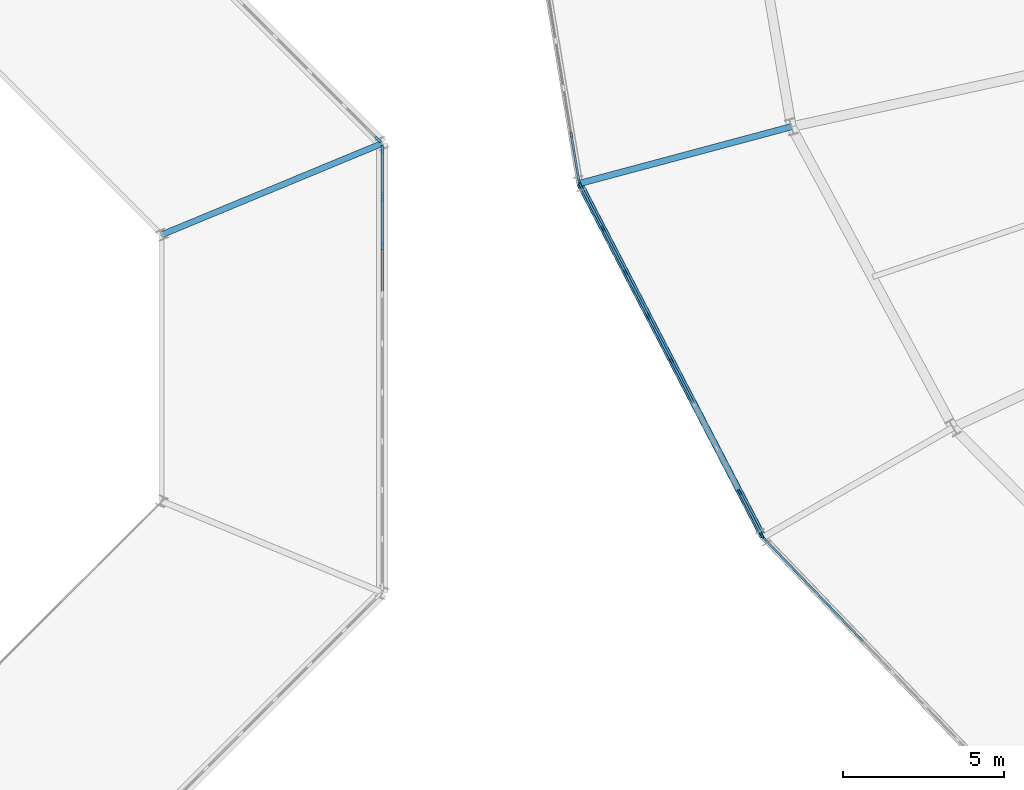
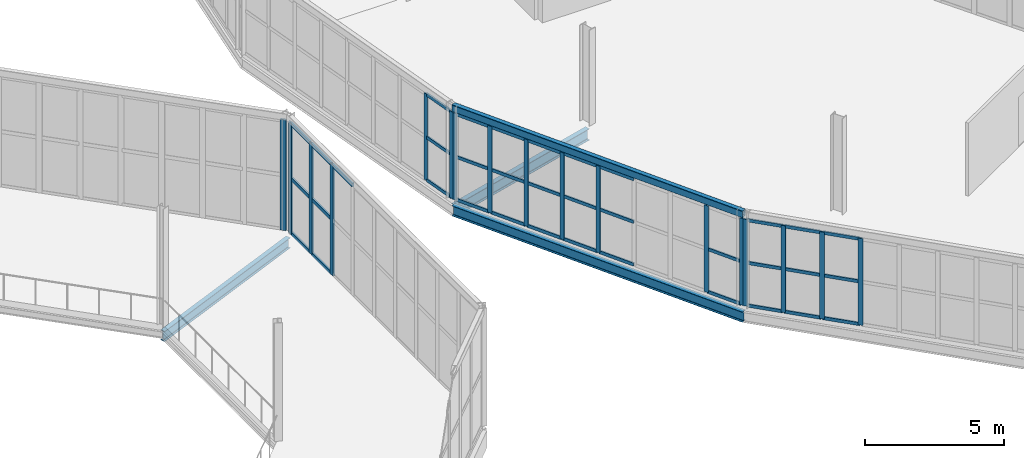
# One storey, part 51 of 161: 53 members, 4 beams, 5 elements without a shape of their own.
"""IFC4 building model written with IfcOpenShell, lengths in metres."""

from ifc_helpers import new_model, si_unit, direction, frame, origin, origin_2d, place, context, subcontext, project, spatial, rectangle, hollow_rectangle, i_section, extrude, material, material_profile, profile_set, type_object, element, aggregate, save


model = new_model("IFC4")

# Units and contexts
model_context = context("Model", 3, precision=1e-05, world=origin(), true_north=direction((0.0, 1.0)))
body_context = subcontext(model_context, "Body", "Model", "MODEL_VIEW")
ifc_project = project(units=[si_unit("LENGTHUNIT", "METRE"), si_unit("AREAUNIT", "SQUARE_METRE"), si_unit("VOLUMEUNIT", "CUBIC_METRE"), si_unit("PLANEANGLEUNIT", "RADIAN"), si_unit("MASSUNIT", "GRAM", prefix="KILO")], contexts=[model_context])

# Site, building, storey
site_placement = place(None, origin())
site = spatial("IfcSite", under=ifc_project, at=site_placement, CompositionType="ELEMENT")
building_placement = place(site_placement, origin())
building = spatial("IfcBuilding", under=site, at=building_placement, Name="Kildeholm Park Wholesale Market", CompositionType="ELEMENT")
storey_placement = place(building_placement, frame((0.0, 0.0, 5.39990234375)))
storey = spatial("IfcBuildingStorey", under=building, at=storey_placement, Name="L01", CompositionType="ELEMENT", Elevation=5.39990234375)

# Beams
ifc_material_1 = material(Name="Steel S355", Category="steel")
ifc_material_profile_1 = material_profile(ifc_material_1, i_section(OverallWidth=0.18994140625, OverallDepth=0.449951171875, WebThickness=0.009521484375, FlangeThickness=0.0146484375, FilletRadius=0.02099609375, at=origin_2d()), Name="IPE 450")
ifc_profile_set_1 = profile_set([ifc_material_profile_1], Name="Steel S355")
beam_type_1 = type_object("IfcBeamType", Name="Beam B-P02 IPE 450", PredefinedType="BEAM", material=ifc_profile_set_1)
beam_1_placement = place(storey_placement, frame((43.94189453125, 77.72412109375, -0.474853515625), z_axis=(0.460622041592, -0.887596380569, 0.0), x_axis=(0.887596380569, 0.460622041592, 0.0)))
element("IfcBeam", 1, at=beam_1_placement, inside=storey, type_object=beam_type_1, Name="Beam BM-V1-L01-CO-13 BM-0122", PredefinedType="BEAM", context=body_context, shape_type="SweptSolid", body=[
    extrude(i_section(OverallWidth=0.18994140625, OverallDepth=0.449951171875, WebThickness=0.009521484375, FlangeThickness=0.0146484375, FilletRadius=0.02099609375, at=origin_2d()), origin(), (0.0, 0.0, 1.0), 12.36376953125),
])
beam_2_placement = place(storey_placement, frame((30.97802734375, 76.133056640625, -0.494873046875), z_axis=(0.923875293758, 0.382693665462, 0.0), x_axis=(-0.382693665462, 0.923875293758, 0.0)))
element("IfcBeam", 2, at=beam_2_placement, inside=storey, type_object=beam_type_1, Name="Beam BM-V3-L01-R-00 BM-0477", PredefinedType="BEAM", context=body_context, shape_type="SweptSolid", body=[
    extrude(i_section(OverallWidth=0.18994140625, OverallDepth=0.449951171875, WebThickness=0.009521484375, FlangeThickness=0.0146484375, FilletRadius=0.02099609375, at=origin_2d()), origin(), (0.0, 0.0, 1.0), 7.400146484375),
])
ifc_material_profile_2 = material_profile(ifc_material_1, i_section(OverallWidth=0.199951171875, OverallDepth=0.5, WebThickness=0.01025390625, FlangeThickness=0.01611328125, FilletRadius=0.02099609375, at=origin_2d()), Name="IPE 500")
ifc_profile_set_2 = profile_set([ifc_material_profile_2], Name="Steel S355")
beam_type_2 = type_object("IfcBeamType", Name="Beam B-P03 IPE 500", PredefinedType="BEAM", material=ifc_profile_set_2)
beam_3_placement = place(storey_placement, frame((50.510986328125, 79.48388671875, -0.5), z_axis=(-0.965941161837, -0.258761805275, 0.0), x_axis=(0.258761805275, -0.965941161837, 0.0)))
element("IfcBeam", 3, at=beam_3_placement, inside=storey, type_object=beam_type_2, Name="Beam BM-V1-L01-R2-13 BM-0119", PredefinedType="BEAM", context=body_context, shape_type="SweptSolid", body=[
    extrude(i_section(OverallWidth=0.199951171875, OverallDepth=0.5, WebThickness=0.01025390625, FlangeThickness=0.01611328125, FilletRadius=0.02099609375, at=origin_2d()), origin(), (0.0, 0.0, 1.0), 6.80078125),
])
ifc_material_profile_3 = material_profile(ifc_material_1, hollow_rectangle(XDim=0.199951171875, YDim=0.300048828125, WallThickness=0.012451171875, InnerFilletRadius=0.012451171875, OuterFilletRadius=0.02490234375, at=origin_2d()), Name="RHS 300x200x12.5")
ifc_profile_set_3 = profile_set([ifc_material_profile_3], Name="Steel S355")
beam_type_3 = type_object("IfcBeamType", Name="Beam SP-01 RHS 300x200x12.5", PredefinedType="SPANDREL", material=ifc_profile_set_3)
beam_4_placement = place(storey_placement, frame((43.94189453125, 77.72412109375, 4.02099609375), z_axis=(0.460622041592, -0.887596380569, 0.0), x_axis=(0.887596380569, 0.460622041592, 0.0)))
element("IfcBeam", 4, at=beam_4_placement, inside=storey, type_object=beam_type_3, Name="Beam SP-V1-EAV-13 BM-0298", PredefinedType="SPANDREL", context=body_context, shape_type="SweptSolid", body=[
    extrude(hollow_rectangle(XDim=0.199951171875, YDim=0.300048828125, WallThickness=0.012451171875, InnerFilletRadius=0.012451171875, OuterFilletRadius=0.02490234375, at=origin_2d()), origin(), (0.0, 0.0, 1.0), 12.36376953125),
])

# Curtain wall, members
ifc_material_2 = material(Name="Anodised aluminium and low-E double-glazed glass", Category="aluminium")
curtain_wall_type_1 = type_object("IfcCurtainWallType", Name="Market hall glazed arcade stick curtain wall CW-01", PredefinedType="NOTDEFINED", material=ifc_material_2)
curtain_wall_1_placement = place(storey_placement, origin())
curtain_wall_1 = element("IfcCurtainWall", 5, at=curtain_wall_1_placement, inside=storey, type_object=curtain_wall_type_1, Name="Curtain wall CW-V1-OT-12-1 CW-0059", PredefinedType="NOTDEFINED")
ifc_material_3 = material(Name="Anodised aluminium", Category="aluminium")
ifc_material_profile_4 = material_profile(ifc_material_3, rectangle(XDim=0.06494140625, YDim=0.179931640625, at=origin_2d()), Name="CWM 65x180")
ifc_profile_set_4 = profile_set([ifc_material_profile_4], Name="Anodised aluminium")
member_type_1 = type_object("IfcMemberType", Name="Curtain-wall mullion CWM-1 CWM 65x180", PredefinedType="MULLION", material=ifc_profile_set_4)
member_1_placement = place(storey_placement, frame((43.68798828125, 79.224365234375, 0.0), z_axis=(0.0, 0.0, 1.0), x_axis=(0.98667513756, 0.162702713317, 0.0)))
member_1 = element("IfcMember", 6, at=member_1_placement, type_object=member_type_1, Name="CW-01 mullion 8 MEM-2003", PredefinedType="MULLION", context=body_context, shape_type="SweptSolid", body=[
    extrude(rectangle(XDim=0.06494140625, YDim=0.179931640625, at=origin_2d()), origin(), (0.0, 0.0, 1.0), 3.800048828125),
])
member_2_placement = place(storey_placement, frame((43.923828125, 77.7939453125, 0.0), z_axis=(0.0, 0.0, 1.0), x_axis=(0.98667513756, 0.162702713317, 0.0)))
member_2 = element("IfcMember", 7, at=member_2_placement, type_object=member_type_1, Name="CW-01 mullion 9 MEM-2004", PredefinedType="MULLION", context=body_context, shape_type="SweptSolid", body=[
    extrude(rectangle(XDim=0.06494140625, YDim=0.179931640625, at=origin_2d()), origin(), (0.0, 0.0, 1.0), 3.800048828125),
])

curtain_wall_2_placement = place(storey_placement, origin())
curtain_wall_2 = element("IfcCurtainWall", 8, at=curtain_wall_2_placement, inside=storey, type_object=curtain_wall_type_1, Name="Curtain wall CW-V1-OT-13-1 CW-0064", PredefinedType="NOTDEFINED")
member_3_placement = place(storey_placement, frame((43.969970703125, 77.658203125, 0.0), z_axis=(0.0, 0.0, 1.0), x_axis=(0.88765224586, 0.460514375909, 0.0)))
member_3 = element("IfcMember", 9, at=member_3_placement, type_object=member_type_1, Name="CW-01 mullion 1 MEM-2121", PredefinedType="MULLION", context=body_context, shape_type="SweptSolid", body=[
    extrude(rectangle(XDim=0.06494140625, YDim=0.179931640625, at=origin_2d()), origin(), (0.0, 0.0, 1.0), 3.800048828125),
])
member_4_placement = place(storey_placement, frame((44.662109375, 76.323974609375, 0.0), z_axis=(0.0, 0.0, 1.0), x_axis=(0.88765224586, 0.460514375909, 0.0)))
member_4 = element("IfcMember", 10, at=member_4_placement, type_object=member_type_1, Name="CW-01 mullion 2 MEM-2122", PredefinedType="MULLION", context=body_context, shape_type="SweptSolid", body=[
    extrude(rectangle(XDim=0.06494140625, YDim=0.179931640625, at=origin_2d()), origin(), (0.0, 0.0, 1.0), 3.800048828125),
])
member_5_placement = place(storey_placement, frame((45.369140625, 74.9609375, 0.0), z_axis=(0.0, 0.0, 1.0), x_axis=(0.88765224586, 0.460514375909, 0.0)))
member_5 = element("IfcMember", 11, at=member_5_placement, type_object=member_type_1, Name="CW-01 mullion 3 MEM-2123", PredefinedType="MULLION", context=body_context, shape_type="SweptSolid", body=[
    extrude(rectangle(XDim=0.06494140625, YDim=0.179931640625, at=origin_2d()), origin(), (0.0, 0.0, 1.0), 3.800048828125),
])
member_6_placement = place(storey_placement, frame((46.076416015625, 73.597900390625, 0.0), z_axis=(0.0, 0.0, 1.0), x_axis=(0.88765224586, 0.460514375909, 0.0)))
member_6 = element("IfcMember", 12, at=member_6_placement, type_object=member_type_1, Name="CW-01 mullion 4 MEM-2124", PredefinedType="MULLION", context=body_context, shape_type="SweptSolid", body=[
    extrude(rectangle(XDim=0.06494140625, YDim=0.179931640625, at=origin_2d()), origin(), (0.0, 0.0, 1.0), 3.800048828125),
])
member_7_placement = place(storey_placement, frame((46.783447265625, 72.235107421875, 0.0), z_axis=(0.0, 0.0, 1.0), x_axis=(0.88765224586, 0.460514375909, 0.0)))
member_7 = element("IfcMember", 13, at=member_7_placement, type_object=member_type_1, Name="CW-01 mullion 5 MEM-2125", PredefinedType="MULLION", context=body_context, shape_type="SweptSolid", body=[
    extrude(rectangle(XDim=0.06494140625, YDim=0.179931640625, at=origin_2d()), origin(), (0.0, 0.0, 1.0), 3.800048828125),
])
member_8_placement = place(storey_placement, frame((48.90478515625, 68.14599609375, 0.0), z_axis=(0.0, 0.0, 1.0), x_axis=(0.88765224586, 0.460514375909, 0.0)))
member_8 = element("IfcMember", 14, at=member_8_placement, type_object=member_type_1, Name="CW-01 mullion 8 MEM-2128", PredefinedType="MULLION", context=body_context, shape_type="SweptSolid", body=[
    extrude(rectangle(XDim=0.06494140625, YDim=0.179931640625, at=origin_2d()), origin(), (0.0, 0.0, 1.0), 3.800048828125),
])
member_9_placement = place(storey_placement, frame((49.596923828125, 66.811767578125, 0.0), z_axis=(0.0, 0.0, 1.0), x_axis=(0.88765224586, 0.460514375909, 0.0)))
member_9 = element("IfcMember", 15, at=member_9_placement, type_object=member_type_1, Name="CW-01 mullion 9 MEM-2129", PredefinedType="MULLION", context=body_context, shape_type="SweptSolid", body=[
    extrude(rectangle(XDim=0.06494140625, YDim=0.179931640625, at=origin_2d()), origin(), (0.0, 0.0, 1.0), 3.800048828125),
])

curtain_wall_3_placement = place(storey_placement, origin())
curtain_wall_3 = element("IfcCurtainWall", 16, at=curtain_wall_3_placement, inside=storey, type_object=curtain_wall_type_1, Name="Curtain wall CW-V1-OT-14-1 CW-0069", PredefinedType="NOTDEFINED")
member_10_placement = place(storey_placement, frame((49.681640625, 66.694580078125, 0.0), z_axis=(0.0, 0.0, 1.0), x_axis=(0.720901097951, 0.69303795493, 0.0)))
member_10 = element("IfcMember", 17, at=member_10_placement, type_object=member_type_1, Name="CW-01 mullion 1 MEM-2246", PredefinedType="MULLION", context=body_context, shape_type="SweptSolid", body=[
    extrude(rectangle(XDim=0.06494140625, YDim=0.179931640625, at=origin_2d()), origin(), (0.0, 0.0, 1.0), 3.800048828125),
])
member_11_placement = place(storey_placement, frame((50.659423828125, 65.67724609375, 0.0), z_axis=(0.0, 0.0, 1.0), x_axis=(0.720901097951, 0.69303795493, 0.0)))
member_11 = element("IfcMember", 18, at=member_11_placement, type_object=member_type_1, Name="CW-01 mullion 2 MEM-2247", PredefinedType="MULLION", context=body_context, shape_type="SweptSolid", body=[
    extrude(rectangle(XDim=0.06494140625, YDim=0.179931640625, at=origin_2d()), origin(), (0.0, 0.0, 1.0), 3.800048828125),
])
member_12_placement = place(storey_placement, frame((51.659912109375, 64.63671875, 0.0), z_axis=(0.0, 0.0, 1.0), x_axis=(0.720901097951, 0.69303795493, 0.0)))
member_12 = element("IfcMember", 19, at=member_12_placement, type_object=member_type_1, Name="CW-01 mullion 3 MEM-2248", PredefinedType="MULLION", context=body_context, shape_type="SweptSolid", body=[
    extrude(rectangle(XDim=0.06494140625, YDim=0.179931640625, at=origin_2d()), origin(), (0.0, 0.0, 1.0), 3.800048828125),
])
member_13_placement = place(storey_placement, frame((52.660400390625, 63.595947265625, 0.0), z_axis=(0.0, 0.0, 1.0), x_axis=(0.720901097951, 0.69303795493, 0.0)))
member_13 = element("IfcMember", 20, at=member_13_placement, type_object=member_type_1, Name="CW-01 mullion 4 MEM-2249", PredefinedType="MULLION", context=body_context, shape_type="SweptSolid", body=[
    extrude(rectangle(XDim=0.06494140625, YDim=0.179931640625, at=origin_2d()), origin(), (0.0, 0.0, 1.0), 3.800048828125),
])

# Curtain wall, member
curtain_wall_type_2 = type_object("IfcCurtainWallType", Name="Clerestory daylight stick curtain wall CW-02", PredefinedType="NOTDEFINED", material=ifc_material_2)
curtain_wall_4_placement = place(storey_placement, origin())
curtain_wall_4 = element("IfcCurtainWall", 21, at=curtain_wall_4_placement, inside=storey, type_object=curtain_wall_type_2, Name="Curtain wall CW-V3-L01-00 CW-0135", PredefinedType="NOTDEFINED")
ifc_material_profile_5 = material_profile(ifc_material_3, rectangle(XDim=0.074951171875, YDim=0.219970703125, at=origin_2d()), Name="CWM 75x220")
ifc_profile_set_5 = profile_set([ifc_material_profile_5], Name="Anodised aluminium")
member_type_2 = type_object("IfcMemberType", Name="Curtain-wall mullion CWM-2 CWM 75x220", PredefinedType="MULLION", material=ifc_profile_set_5)
member_14_placement = place(storey_placement, frame((37.689453125, 79.090576171875, 0.0), z_axis=(0.0, 0.0, 1.0), x_axis=(-0.707106781187, -0.707106781187, 0.0)))
member_14 = element("IfcMember", 22, at=member_14_placement, type_object=member_type_2, Name="CW-02 mullion 1 MEM-4144", PredefinedType="MULLION", context=body_context, shape_type="SweptSolid", body=[
    extrude(rectangle(XDim=0.074951171875, YDim=0.219970703125, at=origin_2d()), origin(), (0.0, 0.0, 1.0), 4.85009765625),
])
aggregate(curtain_wall_4, [member_14])

# Curtain wall, members
curtain_wall_5_placement = place(storey_placement, origin())
curtain_wall_5 = element("IfcCurtainWall", 23, at=curtain_wall_5_placement, inside=storey, type_object=curtain_wall_type_2, Name="Curtain wall CW-V3-L01-07 CW-0142", PredefinedType="NOTDEFINED")
member_15_placement = place(storey_placement, frame((37.81494140625, 75.791748046875, 0.0), z_axis=(0.0, 0.0, 1.0), x_axis=(-1.0, 0.0, 0.0)))
member_15 = element("IfcMember", 24, at=member_15_placement, type_object=member_type_2, Name="CW-02 mullion 8 MEM-4410", PredefinedType="MULLION", context=body_context, shape_type="SweptSolid", body=[
    extrude(rectangle(XDim=0.074951171875, YDim=0.219970703125, at=origin_2d()), origin(), (0.0, 0.0, 1.0), 4.85009765625),
])
member_16_placement = place(storey_placement, frame((37.81494140625, 77.308349609375, 0.0), z_axis=(0.0, 0.0, 1.0), x_axis=(-1.0, 0.0, 0.0)))
member_16 = element("IfcMember", 25, at=member_16_placement, type_object=member_type_2, Name="CW-02 mullion 9 MEM-4411", PredefinedType="MULLION", context=body_context, shape_type="SweptSolid", body=[
    extrude(rectangle(XDim=0.074951171875, YDim=0.219970703125, at=origin_2d()), origin(), (0.0, 0.0, 1.0), 4.85009765625),
])
member_17_placement = place(storey_placement, frame((37.81494140625, 78.78759765625, 0.0), z_axis=(0.0, 0.0, 1.0), x_axis=(-1.0, 0.0, 0.0)))
member_17 = element("IfcMember", 26, at=member_17_placement, type_object=member_type_2, Name="CW-02 mullion 10 MEM-4412", PredefinedType="MULLION", context=body_context, shape_type="SweptSolid", body=[
    extrude(rectangle(XDim=0.074951171875, YDim=0.219970703125, at=origin_2d()), origin(), (0.0, 0.0, 1.0), 4.85009765625),
])

# Member
ifc_material_profile_6 = material_profile(ifc_material_3, rectangle(XDim=0.06494140625, YDim=0.139892578125, at=origin_2d()), Name="CWT 65x140")
ifc_profile_set_6 = profile_set([ifc_material_profile_6], Name="Anodised aluminium")
member_type_3 = type_object("IfcMemberType", Name="Curtain-wall transom CWT-1 CWT 65x140", PredefinedType="USERDEFINED", material=ifc_profile_set_6)
member_18_placement = place(storey_placement, frame((43.693115234375, 79.192138671875, 0.03271484375), z_axis=(0.162768740023, -0.986664247488, 0.0), x_axis=(0.986664247488, 0.162768740023, 0.0)))
member_18 = element("IfcMember", 27, at=member_18_placement, type_object=member_type_3, Name="CW-01 transom 8.1 MEM-2026", ObjectType="TRANSOM", PredefinedType="USERDEFINED", context=body_context, shape_type="SweptSolid", body=[
    extrude(rectangle(XDim=0.06494140625, YDim=0.139892578125, at=origin_2d()), origin(), (0.0, 0.0, 1.0), 1.384521484375),
])

member_19_placement = place(storey_placement, frame((43.693115234375, 79.192138671875, 1.900146484375), z_axis=(0.162768740023, -0.986664247488, 0.0), x_axis=(0.986664247488, 0.162768740023, 0.0)))
member_19 = element("IfcMember", 28, at=member_19_placement, type_object=member_type_3, Name="CW-01 transom 8.2 MEM-2027", ObjectType="TRANSOM", PredefinedType="USERDEFINED", context=body_context, shape_type="SweptSolid", body=[
    extrude(rectangle(XDim=0.06494140625, YDim=0.139892578125, at=origin_2d()), origin(), (0.0, 0.0, 1.0), 1.384521484375),
])

member_20_placement = place(storey_placement, frame((43.693115234375, 79.192138671875, 3.767578125), z_axis=(0.162768740023, -0.986664247488, 0.0), x_axis=(0.986664247488, 0.162768740023, 0.0)))
member_20 = element("IfcMember", 29, at=member_20_placement, type_object=member_type_3, Name="CW-01 transom 8.3 MEM-2028", ObjectType="TRANSOM", PredefinedType="USERDEFINED", context=body_context, shape_type="SweptSolid", body=[
    extrude(rectangle(XDim=0.06494140625, YDim=0.139892578125, at=origin_2d()), origin(), (0.0, 0.0, 1.0), 1.384521484375),
])

aggregate(curtain_wall_1, [member_1, member_2, member_18, member_19, member_20])

member_21_placement = place(storey_placement, frame((43.98486328125, 77.62939453125, 0.03271484375), z_axis=(0.460540122908, -0.887638887832, 0.0), x_axis=(0.887638887832, 0.460540122908, 0.0)))
member_21 = element("IfcMember", 30, at=member_21_placement, type_object=member_type_3, Name="CW-01 transom 1.1 MEM-2130", ObjectType="TRANSOM", PredefinedType="USERDEFINED", context=body_context, shape_type="SweptSolid", body=[
    extrude(rectangle(XDim=0.06494140625, YDim=0.139892578125, at=origin_2d()), origin(), (0.0, 0.0, 1.0), 1.438232421875),
])

member_22_placement = place(storey_placement, frame((43.98486328125, 77.62939453125, 1.900146484375), z_axis=(0.460540122908, -0.887638887832, 0.0), x_axis=(0.887638887832, 0.460540122908, 0.0)))
member_22 = element("IfcMember", 31, at=member_22_placement, type_object=member_type_3, Name="CW-01 transom 1.2 MEM-2131", ObjectType="TRANSOM", PredefinedType="USERDEFINED", context=body_context, shape_type="SweptSolid", body=[
    extrude(rectangle(XDim=0.06494140625, YDim=0.139892578125, at=origin_2d()), origin(), (0.0, 0.0, 1.0), 1.438232421875),
])

member_23_placement = place(storey_placement, frame((43.98486328125, 77.62939453125, 3.767578125), z_axis=(0.460540122908, -0.887638887832, 0.0), x_axis=(0.887638887832, 0.460540122908, 0.0)))
member_23 = element("IfcMember", 32, at=member_23_placement, type_object=member_type_3, Name="CW-01 transom 1.3 MEM-2132", ObjectType="TRANSOM", PredefinedType="USERDEFINED", context=body_context, shape_type="SweptSolid", body=[
    extrude(rectangle(XDim=0.06494140625, YDim=0.139892578125, at=origin_2d()), origin(), (0.0, 0.0, 1.0), 1.438232421875),
])

member_24_placement = place(storey_placement, frame((44.677001953125, 76.295166015625, 0.03271484375), z_axis=(0.460510981056, -0.887654007104, 0.0), x_axis=(0.887654007104, 0.460510981056, 0.0)))
member_24 = element("IfcMember", 33, at=member_24_placement, type_object=member_type_3, Name="CW-01 transom 2.1 MEM-2133", ObjectType="TRANSOM", PredefinedType="USERDEFINED", context=body_context, shape_type="SweptSolid", body=[
    extrude(rectangle(XDim=0.06494140625, YDim=0.139892578125, at=origin_2d()), origin(), (0.0, 0.0, 1.0), 1.470703125),
])

member_25_placement = place(storey_placement, frame((44.677001953125, 76.295166015625, 1.900146484375), z_axis=(0.460510981056, -0.887654007104, 0.0), x_axis=(0.887654007104, 0.460510981056, 0.0)))
member_25 = element("IfcMember", 34, at=member_25_placement, type_object=member_type_3, Name="CW-01 transom 2.2 MEM-2134", ObjectType="TRANSOM", PredefinedType="USERDEFINED", context=body_context, shape_type="SweptSolid", body=[
    extrude(rectangle(XDim=0.06494140625, YDim=0.139892578125, at=origin_2d()), origin(), (0.0, 0.0, 1.0), 1.470703125),
])

member_26_placement = place(storey_placement, frame((44.677001953125, 76.295166015625, 3.767578125), z_axis=(0.460510981056, -0.887654007104, 0.0), x_axis=(0.887654007104, 0.460510981056, 0.0)))
member_26 = element("IfcMember", 35, at=member_26_placement, type_object=member_type_3, Name="CW-01 transom 2.3 MEM-2135", ObjectType="TRANSOM", PredefinedType="USERDEFINED", context=body_context, shape_type="SweptSolid", body=[
    extrude(rectangle(XDim=0.06494140625, YDim=0.139892578125, at=origin_2d()), origin(), (0.0, 0.0, 1.0), 1.470703125),
])

member_27_placement = place(storey_placement, frame((45.38427734375, 74.93212890625, 0.03271484375), z_axis=(0.46057885024, -0.887618793577, 0.0), x_axis=(0.887618793577, 0.46057885024, 0.0)))
member_27 = element("IfcMember", 36, at=member_27_placement, type_object=member_type_3, Name="CW-01 transom 3.1 MEM-2136", ObjectType="TRANSOM", PredefinedType="USERDEFINED", context=body_context, shape_type="SweptSolid", body=[
    extrude(rectangle(XDim=0.06494140625, YDim=0.139892578125, at=origin_2d()), origin(), (0.0, 0.0, 1.0), 1.470458984375),
])

member_28_placement = place(storey_placement, frame((45.38427734375, 74.93212890625, 1.900146484375), z_axis=(0.46057885024, -0.887618793577, 0.0), x_axis=(0.887618793577, 0.46057885024, 0.0)))
member_28 = element("IfcMember", 37, at=member_28_placement, type_object=member_type_3, Name="CW-01 transom 3.2 MEM-2137", ObjectType="TRANSOM", PredefinedType="USERDEFINED", context=body_context, shape_type="SweptSolid", body=[
    extrude(rectangle(XDim=0.06494140625, YDim=0.139892578125, at=origin_2d()), origin(), (0.0, 0.0, 1.0), 1.470458984375),
])

member_29_placement = place(storey_placement, frame((45.38427734375, 74.93212890625, 3.767578125), z_axis=(0.46057885024, -0.887618793577, 0.0), x_axis=(0.887618793577, 0.46057885024, 0.0)))
member_29 = element("IfcMember", 38, at=member_29_placement, type_object=member_type_3, Name="CW-01 transom 3.3 MEM-2138", ObjectType="TRANSOM", PredefinedType="USERDEFINED", context=body_context, shape_type="SweptSolid", body=[
    extrude(rectangle(XDim=0.06494140625, YDim=0.139892578125, at=origin_2d()), origin(), (0.0, 0.0, 1.0), 1.470458984375),
])

member_30_placement = place(storey_placement, frame((46.09130859375, 73.569091796875, 0.03271484375), z_axis=(0.46057885024, -0.887618793577, 0.0), x_axis=(0.887618793577, 0.46057885024, 0.0)))
member_30 = element("IfcMember", 39, at=member_30_placement, type_object=member_type_3, Name="CW-01 transom 4.1 MEM-2139", ObjectType="TRANSOM", PredefinedType="USERDEFINED", context=body_context, shape_type="SweptSolid", body=[
    extrude(rectangle(XDim=0.06494140625, YDim=0.139892578125, at=origin_2d()), origin(), (0.0, 0.0, 1.0), 1.470458984375),
])

member_31_placement = place(storey_placement, frame((46.09130859375, 73.569091796875, 1.900146484375), z_axis=(0.46057885024, -0.887618793577, 0.0), x_axis=(0.887618793577, 0.46057885024, 0.0)))
member_31 = element("IfcMember", 40, at=member_31_placement, type_object=member_type_3, Name="CW-01 transom 4.2 MEM-2140", ObjectType="TRANSOM", PredefinedType="USERDEFINED", context=body_context, shape_type="SweptSolid", body=[
    extrude(rectangle(XDim=0.06494140625, YDim=0.139892578125, at=origin_2d()), origin(), (0.0, 0.0, 1.0), 1.470458984375),
])

member_32_placement = place(storey_placement, frame((46.09130859375, 73.569091796875, 3.767578125), z_axis=(0.46057885024, -0.887618793577, 0.0), x_axis=(0.887618793577, 0.46057885024, 0.0)))
member_32 = element("IfcMember", 41, at=member_32_placement, type_object=member_type_3, Name="CW-01 transom 4.3 MEM-2141", ObjectType="TRANSOM", PredefinedType="USERDEFINED", context=body_context, shape_type="SweptSolid", body=[
    extrude(rectangle(XDim=0.06494140625, YDim=0.139892578125, at=origin_2d()), origin(), (0.0, 0.0, 1.0), 1.470458984375),
])

member_33_placement = place(storey_placement, frame((46.798583984375, 72.2060546875, 0.03271484375), z_axis=(0.460448022353, -0.887686666967, 0.0), x_axis=(0.887686666967, 0.460448022353, 0.0)))
member_33 = element("IfcMember", 42, at=member_33_placement, type_object=member_type_3, Name="CW-01 transom 5.1 MEM-2142", ObjectType="TRANSOM", PredefinedType="USERDEFINED", context=body_context, shape_type="SweptSolid", body=[
    extrude(rectangle(XDim=0.06494140625, YDim=0.139892578125, at=origin_2d()), origin(), (0.0, 0.0, 1.0), 1.47021484375),
])

member_34_placement = place(storey_placement, frame((46.798583984375, 72.2060546875, 1.900146484375), z_axis=(0.460448022353, -0.887686666967, 0.0), x_axis=(0.887686666967, 0.460448022353, 0.0)))
member_34 = element("IfcMember", 43, at=member_34_placement, type_object=member_type_3, Name="CW-01 transom 5.2 MEM-2143", ObjectType="TRANSOM", PredefinedType="USERDEFINED", context=body_context, shape_type="SweptSolid", body=[
    extrude(rectangle(XDim=0.06494140625, YDim=0.139892578125, at=origin_2d()), origin(), (0.0, 0.0, 1.0), 1.47021484375),
])

member_35_placement = place(storey_placement, frame((46.798583984375, 72.2060546875, 3.767578125), z_axis=(0.460448022353, -0.887686666967, 0.0), x_axis=(0.887686666967, 0.460448022353, 0.0)))
member_35 = element("IfcMember", 44, at=member_35_placement, type_object=member_type_3, Name="CW-01 transom 5.3 MEM-2144", ObjectType="TRANSOM", PredefinedType="USERDEFINED", context=body_context, shape_type="SweptSolid", body=[
    extrude(rectangle(XDim=0.06494140625, YDim=0.139892578125, at=origin_2d()), origin(), (0.0, 0.0, 1.0), 1.47021484375),
])

member_36_placement = place(storey_placement, frame((48.919921875, 68.1171875, 0.03271484375), z_axis=(0.460406358293, -0.887708277107, 0.0), x_axis=(0.887708277107, 0.460406358293, 0.0)))
member_36 = element("IfcMember", 45, at=member_36_placement, type_object=member_type_3, Name="CW-01 transom 8.1 MEM-2151", ObjectType="TRANSOM", PredefinedType="USERDEFINED", context=body_context, shape_type="SweptSolid", body=[
    extrude(rectangle(XDim=0.06494140625, YDim=0.139892578125, at=origin_2d()), origin(), (0.0, 0.0, 1.0), 1.43798828125),
])

member_37_placement = place(storey_placement, frame((48.919921875, 68.1171875, 1.900146484375), z_axis=(0.460406358293, -0.887708277107, 0.0), x_axis=(0.887708277107, 0.460406358293, 0.0)))
member_37 = element("IfcMember", 46, at=member_37_placement, type_object=member_type_3, Name="CW-01 transom 8.2 MEM-2152", ObjectType="TRANSOM", PredefinedType="USERDEFINED", context=body_context, shape_type="SweptSolid", body=[
    extrude(rectangle(XDim=0.06494140625, YDim=0.139892578125, at=origin_2d()), origin(), (0.0, 0.0, 1.0), 1.43798828125),
])

aggregate(curtain_wall_2, [member_3, member_4, member_5, member_6, member_7, member_8, member_9, member_21, member_22, member_23, member_24, member_25, member_26, member_27, member_28, member_29, member_30, member_31, member_32, member_33, member_34, member_35, member_36, member_37])

member_38_placement = place(storey_placement, frame((49.7041015625, 66.671142578125, 0.03271484375), z_axis=(0.693003596834, -0.720934126516, 0.0), x_axis=(0.720934126516, 0.693003596834, 0.0)))
member_38 = element("IfcMember", 47, at=member_38_placement, type_object=member_type_3, Name="CW-01 transom 1.1 MEM-2256", ObjectType="TRANSOM", PredefinedType="USERDEFINED", context=body_context, shape_type="SweptSolid", body=[
    extrude(rectangle(XDim=0.06494140625, YDim=0.139892578125, at=origin_2d()), origin(), (0.0, 0.0, 1.0), 1.34619140625),
])

member_39_placement = place(storey_placement, frame((49.7041015625, 66.671142578125, 1.900146484375), z_axis=(0.693003596834, -0.720934126516, 0.0), x_axis=(0.720934126516, 0.693003596834, 0.0)))
member_39 = element("IfcMember", 48, at=member_39_placement, type_object=member_type_3, Name="CW-01 transom 1.2 MEM-2257", ObjectType="TRANSOM", PredefinedType="USERDEFINED", context=body_context, shape_type="SweptSolid", body=[
    extrude(rectangle(XDim=0.06494140625, YDim=0.139892578125, at=origin_2d()), origin(), (0.0, 0.0, 1.0), 1.34619140625),
])

member_40_placement = place(storey_placement, frame((49.7041015625, 66.671142578125, 3.767578125), z_axis=(0.693003596834, -0.720934126516, 0.0), x_axis=(0.720934126516, 0.693003596834, 0.0)))
member_40 = element("IfcMember", 49, at=member_40_placement, type_object=member_type_3, Name="CW-01 transom 1.3 MEM-2258", ObjectType="TRANSOM", PredefinedType="USERDEFINED", context=body_context, shape_type="SweptSolid", body=[
    extrude(rectangle(XDim=0.06494140625, YDim=0.139892578125, at=origin_2d()), origin(), (0.0, 0.0, 1.0), 1.34619140625),
])

member_41_placement = place(storey_placement, frame((50.681884765625, 65.65380859375, 0.03271484375), z_axis=(0.693158263703, -0.720785419844, 0.0), x_axis=(0.720785419844, 0.693158263703, 0.0)))
member_41 = element("IfcMember", 50, at=member_41_placement, type_object=member_type_3, Name="CW-01 transom 2.1 MEM-2259", ObjectType="TRANSOM", PredefinedType="USERDEFINED", context=body_context, shape_type="SweptSolid", body=[
    extrude(rectangle(XDim=0.06494140625, YDim=0.139892578125, at=origin_2d()), origin(), (0.0, 0.0, 1.0), 1.378662109375),
])

member_42_placement = place(storey_placement, frame((50.681884765625, 65.65380859375, 1.900146484375), z_axis=(0.693158263703, -0.720785419844, 0.0), x_axis=(0.720785419844, 0.693158263703, 0.0)))
member_42 = element("IfcMember", 51, at=member_42_placement, type_object=member_type_3, Name="CW-01 transom 2.2 MEM-2260", ObjectType="TRANSOM", PredefinedType="USERDEFINED", context=body_context, shape_type="SweptSolid", body=[
    extrude(rectangle(XDim=0.06494140625, YDim=0.139892578125, at=origin_2d()), origin(), (0.0, 0.0, 1.0), 1.378662109375),
])

member_43_placement = place(storey_placement, frame((50.681884765625, 65.65380859375, 3.767578125), z_axis=(0.693158263703, -0.720785419844, 0.0), x_axis=(0.720785419844, 0.693158263703, 0.0)))
member_43 = element("IfcMember", 52, at=member_43_placement, type_object=member_type_3, Name="CW-01 transom 2.3 MEM-2261", ObjectType="TRANSOM", PredefinedType="USERDEFINED", context=body_context, shape_type="SweptSolid", body=[
    extrude(rectangle(XDim=0.06494140625, YDim=0.139892578125, at=origin_2d()), origin(), (0.0, 0.0, 1.0), 1.378662109375),
])

member_44_placement = place(storey_placement, frame((51.682373046875, 64.61328125, 0.03271484375), z_axis=(0.692977754297, -0.720958966967, 0.0), x_axis=(0.720958966967, 0.692977754297, 0.0)))
member_44 = element("IfcMember", 53, at=member_44_placement, type_object=member_type_3, Name="CW-01 transom 3.1 MEM-2262", ObjectType="TRANSOM", PredefinedType="USERDEFINED", context=body_context, shape_type="SweptSolid", body=[
    extrude(rectangle(XDim=0.06494140625, YDim=0.139892578125, at=origin_2d()), origin(), (0.0, 0.0, 1.0), 1.378662109375),
])

member_45_placement = place(storey_placement, frame((51.682373046875, 64.61328125, 1.900146484375), z_axis=(0.692977754297, -0.720958966967, 0.0), x_axis=(0.720958966967, 0.692977754297, 0.0)))
member_45 = element("IfcMember", 54, at=member_45_placement, type_object=member_type_3, Name="CW-01 transom 3.2 MEM-2263", ObjectType="TRANSOM", PredefinedType="USERDEFINED", context=body_context, shape_type="SweptSolid", body=[
    extrude(rectangle(XDim=0.06494140625, YDim=0.139892578125, at=origin_2d()), origin(), (0.0, 0.0, 1.0), 1.378662109375),
])

member_46_placement = place(storey_placement, frame((51.682373046875, 64.61328125, 3.767578125), z_axis=(0.692977754297, -0.720958966967, 0.0), x_axis=(0.720958966967, 0.692977754297, 0.0)))
member_46 = element("IfcMember", 55, at=member_46_placement, type_object=member_type_3, Name="CW-01 transom 3.3 MEM-2264", ObjectType="TRANSOM", PredefinedType="USERDEFINED", context=body_context, shape_type="SweptSolid", body=[
    extrude(rectangle(XDim=0.06494140625, YDim=0.139892578125, at=origin_2d()), origin(), (0.0, 0.0, 1.0), 1.378662109375),
])

aggregate(curtain_wall_3, [member_10, member_11, member_12, member_13, member_38, member_39, member_40, member_41, member_42, member_43, member_44, member_45, member_46])

ifc_material_profile_7 = material_profile(ifc_material_3, rectangle(XDim=0.074951171875, YDim=0.159912109375, at=origin_2d()), Name="CWT 75x160")
ifc_profile_set_7 = profile_set([ifc_material_profile_7], Name="Anodised aluminium")
member_type_4 = type_object("IfcMemberType", Name="Curtain-wall transom CWT-2 CWT 75x160", PredefinedType="USERDEFINED", material=ifc_profile_set_7)
member_47_placement = place(storey_placement, frame((37.81494140625, 74.3125, 4.8125), z_axis=(0.0, 1.0, 0.0), x_axis=(-1.0, 0.0, 0.0)))
member_47 = element("IfcMember", 56, at=member_47_placement, type_object=member_type_4, Name="CW-02 transom 7.3 MEM-4433", ObjectType="TRANSOM", PredefinedType="USERDEFINED", context=body_context, shape_type="SweptSolid", body=[
    extrude(rectangle(XDim=0.074951171875, YDim=0.159912109375, at=origin_2d()), origin(), (0.0, 0.0, 1.0), 1.441650390625),
])

member_48_placement = place(storey_placement, frame((37.81494140625, 75.8291015625, 0.03759765625), z_axis=(0.0, 1.0, 0.0), x_axis=(-1.0, 0.0, 0.0)))
member_48 = element("IfcMember", 57, at=member_48_placement, type_object=member_type_4, Name="CW-02 transom 8.1 MEM-4434", ObjectType="TRANSOM", PredefinedType="USERDEFINED", context=body_context, shape_type="SweptSolid", body=[
    extrude(rectangle(XDim=0.074951171875, YDim=0.159912109375, at=origin_2d()), origin(), (0.0, 0.0, 1.0), 1.441650390625),
])

member_49_placement = place(storey_placement, frame((37.81494140625, 75.8291015625, 2.425048828125), z_axis=(0.0, 1.0, 0.0), x_axis=(-1.0, 0.0, 0.0)))
member_49 = element("IfcMember", 58, at=member_49_placement, type_object=member_type_4, Name="CW-02 transom 8.2 MEM-4435", ObjectType="TRANSOM", PredefinedType="USERDEFINED", context=body_context, shape_type="SweptSolid", body=[
    extrude(rectangle(XDim=0.074951171875, YDim=0.159912109375, at=origin_2d()), origin(), (0.0, 0.0, 1.0), 1.441650390625),
])

member_50_placement = place(storey_placement, frame((37.81494140625, 75.8291015625, 4.8125), z_axis=(0.0, 1.0, 0.0), x_axis=(-1.0, 0.0, 0.0)))
member_50 = element("IfcMember", 59, at=member_50_placement, type_object=member_type_4, Name="CW-02 transom 8.3 MEM-4436", ObjectType="TRANSOM", PredefinedType="USERDEFINED", context=body_context, shape_type="SweptSolid", body=[
    extrude(rectangle(XDim=0.074951171875, YDim=0.159912109375, at=origin_2d()), origin(), (0.0, 0.0, 1.0), 1.441650390625),
])

member_51_placement = place(storey_placement, frame((37.81494140625, 77.345947265625, 0.03759765625), z_axis=(0.0, 1.0, 0.0), x_axis=(-1.0, 0.0, 0.0)))
member_51 = element("IfcMember", 60, at=member_51_placement, type_object=member_type_4, Name="CW-02 transom 9.1 MEM-4437", ObjectType="TRANSOM", PredefinedType="USERDEFINED", context=body_context, shape_type="SweptSolid", body=[
    extrude(rectangle(XDim=0.074951171875, YDim=0.159912109375, at=origin_2d()), origin(), (0.0, 0.0, 1.0), 1.404052734375),
])

member_52_placement = place(storey_placement, frame((37.81494140625, 77.345947265625, 2.425048828125), z_axis=(0.0, 1.0, 0.0), x_axis=(-1.0, 0.0, 0.0)))
member_52 = element("IfcMember", 61, at=member_52_placement, type_object=member_type_4, Name="CW-02 transom 9.2 MEM-4438", ObjectType="TRANSOM", PredefinedType="USERDEFINED", context=body_context, shape_type="SweptSolid", body=[
    extrude(rectangle(XDim=0.074951171875, YDim=0.159912109375, at=origin_2d()), origin(), (0.0, 0.0, 1.0), 1.404052734375),
])

member_53_placement = place(storey_placement, frame((37.81494140625, 77.345947265625, 4.8125), z_axis=(0.0, 1.0, 0.0), x_axis=(-1.0, 0.0, 0.0)))
member_53 = element("IfcMember", 62, at=member_53_placement, type_object=member_type_4, Name="CW-02 transom 9.3 MEM-4439", ObjectType="TRANSOM", PredefinedType="USERDEFINED", context=body_context, shape_type="SweptSolid", body=[
    extrude(rectangle(XDim=0.074951171875, YDim=0.159912109375, at=origin_2d()), origin(), (0.0, 0.0, 1.0), 1.404052734375),
])

aggregate(curtain_wall_5, [member_15, member_16, member_17, member_47, member_48, member_49, member_50, member_51, member_52, member_53])

save(model, "model.ifc")
